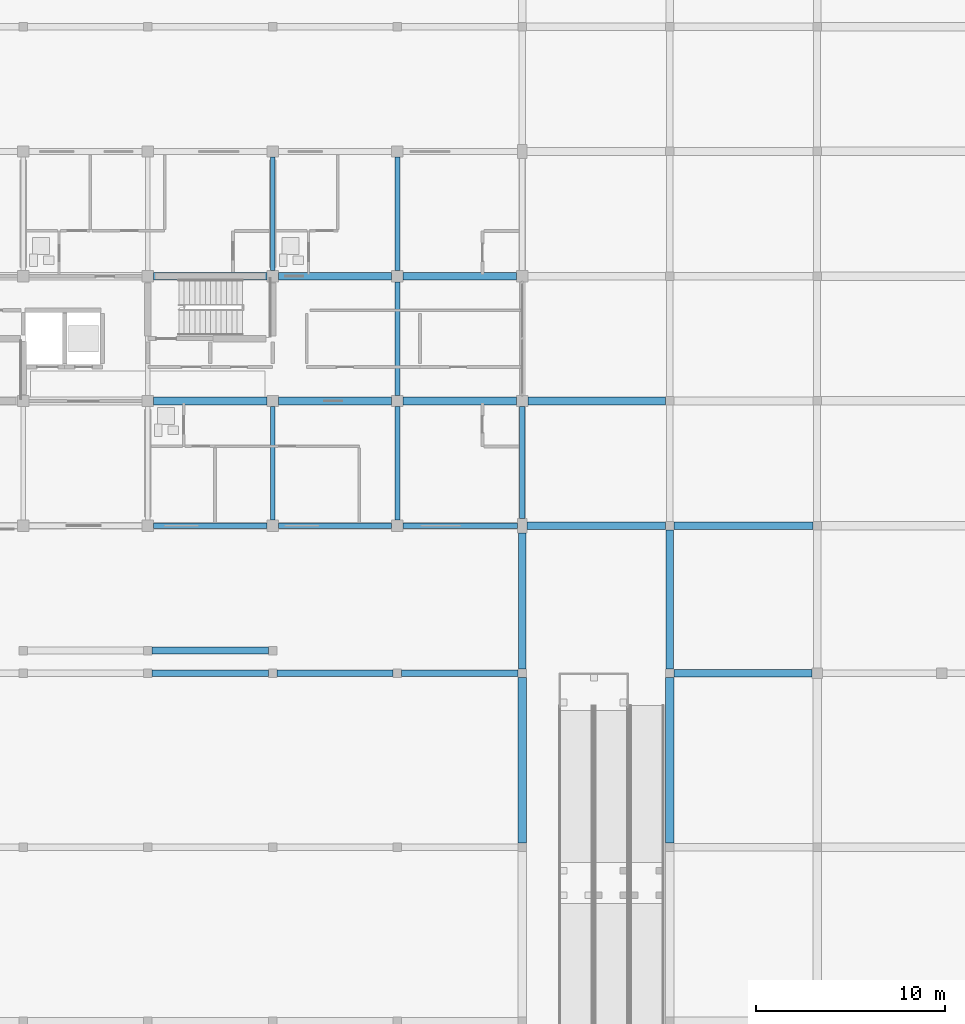
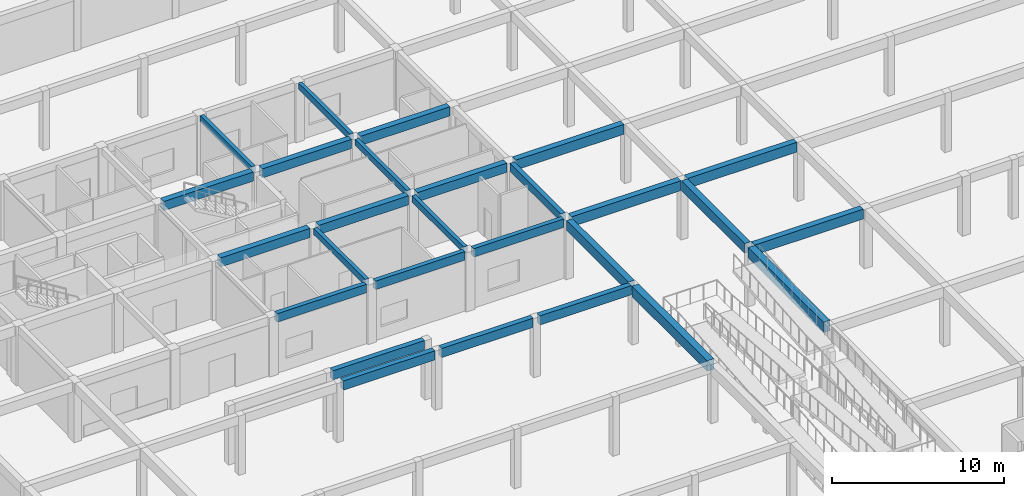
# One storey, part 29 of 75: 27 beams.
"""IFC4 building model written with IfcOpenShell, lengths in metres."""

from ifc_helpers import new_model, si_unit, direction, frame, origin, origin_2d, place, context, subcontext, project, spatial, rectangle, extrude, material, material_profile, profile_set, type_object, element, save


model = new_model("IFC4")

# Units and contexts
model_context = context("Model", 3, precision=1e-05, world=origin(), true_north=direction((0.0, 1.0)))
body_context = subcontext(model_context, "Body", "Model", "MODEL_VIEW")
ifc_project = project(units=[si_unit("LENGTHUNIT", "METRE"), si_unit("AREAUNIT", "SQUARE_METRE"), si_unit("VOLUMEUNIT", "CUBIC_METRE"), si_unit("PLANEANGLEUNIT", "RADIAN"), si_unit("MASSUNIT", "GRAM", prefix="KILO")], contexts=[model_context])

# Site, building, storey
site_placement = place(None, origin())
site = spatial("IfcSite", under=ifc_project, at=site_placement, CompositionType="ELEMENT")
building_placement = place(site_placement, origin())
building = spatial("IfcBuilding", under=site, at=building_placement, Name="Kernevlak Ridge Housing Community", CompositionType="ELEMENT")
storey_placement = place(building_placement, origin())
storey = spatial("IfcBuildingStorey", under=building, at=storey_placement, Name="L00", CompositionType="ELEMENT", Elevation=0.0)

# Beams
ifc_material = material(Name="Concrete C35/45", Category="concrete")
ifc_material_profile_1 = material_profile(ifc_material, rectangle(XDim=0.39990234375, YDim=0.699951171875, at=origin_2d()), Name="RC 400x700")
ifc_profile_set_1 = profile_set([ifc_material_profile_1], Name="Concrete C35/45")
beam_type_1 = type_object("IfcBeamType", Name="B-01", PredefinedType="BEAM", material=ifc_profile_set_1)
beam_1_placement = place(storey_placement, frame((56.625, 68.199951171875, 3.85009765625), z_axis=(1.0, 0.0, 0.0), x_axis=(0.0, 1.0, 0.0)))
element("IfcBeam", 1, at=beam_1_placement, inside=storey, type_object=beam_type_1, Name="Beam B-01 L00 2170", PredefinedType="BEAM", context=body_context, shape_type="SweptSolid", body=[
    extrude(rectangle(XDim=0.39990234375, YDim=0.699951171875, at=origin_2d()), origin(), (0.0, 0.0, 1.0), 7.300048828125),
])
beam_2_placement = place(storey_placement, frame((48.85009765625, 76.0, 3.85009765625), z_axis=(1.0, 0.0, 0.0), x_axis=(0.0, 1.0, 0.0)))
element("IfcBeam", 2, at=beam_2_placement, inside=storey, type_object=beam_type_1, Name="Beam B-01 L00 2190", PredefinedType="BEAM", context=body_context, shape_type="SweptSolid", body=[
    extrude(rectangle(XDim=0.39990234375, YDim=0.699951171875, at=origin_2d()), origin(), (0.0, 0.0, 1.0), 7.324951171875),
])
beam_3_placement = place(storey_placement, frame((56.625, 76.0, 3.85009765625), z_axis=(1.0, 0.0, 0.0), x_axis=(0.0, 1.0, 0.0)))
element("IfcBeam", 3, at=beam_3_placement, inside=storey, type_object=beam_type_1, Name="Beam B-01 L00 2191", PredefinedType="BEAM", context=body_context, shape_type="SweptSolid", body=[
    extrude(rectangle(XDim=0.39990234375, YDim=0.699951171875, at=origin_2d()), origin(), (0.0, 0.0, 1.0), 7.35009765625),
])
beam_4_placement = place(storey_placement, frame((48.89990234375, 82.60009765625, 3.85009765625), z_axis=(1.0, 0.0, 0.0), x_axis=(0.0, 1.0, 0.0)))
element("IfcBeam", 4, at=beam_4_placement, inside=storey, type_object=beam_type_1, Name="Beam B-01 L00 2205", PredefinedType="BEAM", context=body_context, shape_type="SweptSolid", body=[
    extrude(rectangle(XDim=0.39990234375, YDim=0.699951171875, at=origin_2d()), origin(), (0.0, 0.0, 1.0), 7.275146484375),
])
beam_5_placement = place(storey_placement, frame((48.60009765625, 68.425048828125, 3.85009765625), z_axis=(0.0, 1.0, 0.0), x_axis=(-1.0, 0.0, 0.0)))
element("IfcBeam", 5, at=beam_5_placement, inside=storey, type_object=beam_type_1, Name="Beam B-01 L00 2296", PredefinedType="BEAM", context=body_context, shape_type="SweptSolid", body=[
    extrude(rectangle(XDim=0.39990234375, YDim=0.699951171875, at=origin_2d()), origin(), (0.0, 0.0, 1.0), 7.199951171875),
])
beam_6_placement = place(storey_placement, frame((56.39990234375, 68.425048828125, 3.85009765625), z_axis=(0.0, 1.0, 0.0), x_axis=(-1.0, 0.0, 0.0)))
element("IfcBeam", 6, at=beam_6_placement, inside=storey, type_object=beam_type_1, Name="Beam B-01 L00 2307", PredefinedType="BEAM", context=body_context, shape_type="SweptSolid", body=[
    extrude(rectangle(XDim=0.39990234375, YDim=0.699951171875, at=origin_2d()), origin(), (0.0, 0.0, 1.0), 7.349853515625),
])
ifc_material_profile_2 = material_profile(ifc_material, rectangle(XDim=0.35009765625, YDim=0.64990234375, at=origin_2d()), Name="RC 350x650")
ifc_profile_set_2 = profile_set([ifc_material_profile_2], Name="Concrete C35/45")
beam_type_2 = type_object("IfcBeamType", Name="B-02", PredefinedType="BEAM", material=ifc_profile_set_2)
beam_7_placement = place(storey_placement, frame((29.02490234375, 68.199951171875, 3.875), z_axis=(1.0, 0.0, 0.0), x_axis=(0.0, 1.0, 0.0)))
element("IfcBeam", 7, at=beam_7_placement, inside=storey, type_object=beam_type_2, Name="Beam B-02 L00 2167", PredefinedType="BEAM", context=body_context, shape_type="SweptSolid", body=[
    extrude(rectangle(XDim=0.35009765625, YDim=0.64990234375, at=origin_2d()), origin(), (0.0, 0.0, 1.0), 6.150146484375),
])
for number, where, z_axis, x_axis, name in (
    (8, (35.625, 68.199951171875, 3.875), (1.0, 0.0, 0.0), (0.0, 1.0, 0.0), "Beam B-02 L00 2168"),
    (9, (42.22509765625, 68.199951171875, 3.875), (1.0, 0.0, 0.0), (0.0, 1.0, 0.0), "Beam B-02 L00 2169"),
):
    element("IfcBeam", number, at=place(storey_placement, frame(where, z_axis=z_axis, x_axis=x_axis)), inside=storey, type_object=beam_type_2, Name=name, PredefinedType="BEAM", context=body_context, shape_type="SweptSolid", body=[
        extrude(rectangle(XDim=0.35009765625, YDim=0.64990234375, at=origin_2d()), origin(), (0.0, 0.0, 1.0), 6.14990234375),
    ])
beam_8_placement = place(storey_placement, frame((29.02490234375, 69.39990234375, 3.875), z_axis=(1.0, 0.0, 0.0), x_axis=(0.0, 1.0, 0.0)))
element("IfcBeam", 10, at=beam_8_placement, inside=storey, type_object=beam_type_2, Name="Beam B-02 L00 2188", PredefinedType="BEAM", context=body_context, shape_type="SweptSolid", body=[
    extrude(rectangle(XDim=0.35009765625, YDim=0.64990234375, at=origin_2d()), origin(), (0.0, 0.0, 1.0), 6.150146484375),
])
ifc_material_profile_3 = material_profile(ifc_material, rectangle(XDim=0.39990234375, YDim=0.64990234375, at=origin_2d()), Name="RC 400x650")
ifc_profile_set_3 = profile_set([ifc_material_profile_3], Name="Concrete C35/45")
beam_type_3 = type_object("IfcBeamType", Name="B-03", PredefinedType="T_BEAM", material=ifc_profile_set_3)
for number, where, z_axis, x_axis, name in (
    (11, (29.10009765625, 82.60009765625, 3.875), (1.0, 0.0, 0.0), (0.0, 1.0, 0.0), "Beam B-03 L00 44"),
    (12, (35.699951171875, 82.60009765625, 3.875), (1.0, 0.0, 0.0), (0.0, 1.0, 0.0), "Beam B-03 L00 45"),
    (13, (42.300048828125, 82.60009765625, 3.875), (1.0, 0.0, 0.0), (0.0, 1.0, 0.0), "Beam B-03 L00 46"),
    (14, (29.10009765625, 89.199951171875, 3.875), (1.0, 0.0, 0.0), (0.0, 1.0, 0.0), "Beam B-03 L00 49"),
    (15, (35.699951171875, 89.199951171875, 3.875), (1.0, 0.0, 0.0), (0.0, 1.0, 0.0), "Beam B-03 L00 50"),
    (16, (42.300048828125, 89.199951171875, 3.875), (1.0, 0.0, 0.0), (0.0, 1.0, 0.0), "Beam B-03 L00 51"),
):
    element("IfcBeam", number, at=place(storey_placement, frame(where, z_axis=z_axis, x_axis=x_axis)), inside=storey, type_object=beam_type_3, Name=name, PredefinedType="T_BEAM", context=body_context, shape_type="SweptSolid", body=[
        extrude(rectangle(XDim=0.39990234375, YDim=0.64990234375, at=origin_2d()), origin(), (0.0, 0.0, 1.0), 6.0),
    ])
ifc_material_profile_4 = material_profile(ifc_material, rectangle(XDim=0.25, YDim=0.449951171875, at=origin_2d()), Name="RC 250x450")
ifc_profile_set_4 = profile_set([ifc_material_profile_4], Name="Concrete C35/45")
beam_type_4 = type_object("IfcBeamType", Name="B-04", PredefinedType="T_BEAM", material=ifc_profile_set_4)
for number, where, z_axis, x_axis, name in (
    (17, (35.39990234375, 76.300048828125, 3.97509765625), (0.0, 1.0, 0.0), (-1.0, 0.0, 0.0), "Beam B-04 L00 65"),
    (18, (35.39990234375, 89.5, 3.97509765625), (0.0, 1.0, 0.0), (-1.0, 0.0, 0.0), "Beam B-04 L00 66"),
    (19, (42.0, 76.300048828125, 3.97509765625), (0.0, 1.0, 0.0), (-1.0, 0.0, 0.0), "Beam B-04 L00 67"),
    (20, (42.0, 82.89990234375, 3.97509765625), (0.0, 1.0, 0.0), (-1.0, 0.0, 0.0), "Beam B-04 L00 68"),
    (21, (42.0, 89.5, 3.97509765625), (0.0, 1.0, 0.0), (-1.0, 0.0, 0.0), "Beam B-04 L00 69"),
):
    element("IfcBeam", number, at=place(storey_placement, frame(where, z_axis=z_axis, x_axis=x_axis)), inside=storey, type_object=beam_type_4, Name=name, PredefinedType="T_BEAM", context=body_context, shape_type="SweptSolid", body=[
        extrude(rectangle(XDim=0.25, YDim=0.449951171875, at=origin_2d()), origin(), (0.0, 0.0, 1.0), 6.0),
    ])
ifc_material_profile_5 = material_profile(ifc_material, rectangle(XDim=0.449951171875, YDim=0.75, at=origin_2d()), Name="RC 450x750")
ifc_profile_set_5 = profile_set([ifc_material_profile_5], Name="Concrete C35/45")
beam_type_5 = type_object("IfcBeamType", Name="B-05", PredefinedType="BEAM", material=ifc_profile_set_5)
for number, where, z_axis, x_axis, name in (
    (22, (48.60009765625, 59.22509765625, 3.824951171875), (0.0, 1.0, 0.0), (-1.0, 0.0, 0.0), "Beam B-05 L00 2295"),
    (23, (56.39990234375, 59.22509765625, 3.824951171875), (0.0, 1.0, 0.0), (-1.0, 0.0, 0.0), "Beam B-05 L00 2306"),
):
    element("IfcBeam", number, at=place(storey_placement, frame(where, z_axis=z_axis, x_axis=x_axis)), inside=storey, type_object=beam_type_5, Name=name, PredefinedType="BEAM", context=body_context, shape_type="SweptSolid", body=[
        extrude(rectangle(XDim=0.449951171875, YDim=0.75, at=origin_2d()), origin(), (0.0, 0.0, 1.0), 8.75),
    ])
ifc_material_profile_6 = material_profile(ifc_material, rectangle(XDim=0.300048828125, YDim=0.550048828125, at=origin_2d()), Name="RC 300x550")
ifc_profile_set_6 = profile_set([ifc_material_profile_6], Name="Concrete C35/45")
beam_type_6 = type_object("IfcBeamType", Name="SP-01", PredefinedType="SPANDREL", material=ifc_profile_set_6)
beam_9_placement = place(storey_placement, frame((48.60009765625, 76.375, 3.925048828125), z_axis=(0.0, 1.0, 0.0), x_axis=(-1.0, 0.0, 0.0)))
element("IfcBeam", 24, at=beam_9_placement, inside=storey, type_object=beam_type_6, Name="Beam SP-01 L00 70", PredefinedType="SPANDREL", context=body_context, shape_type="SweptSolid", body=[
    extrude(rectangle(XDim=0.300048828125, YDim=0.550048828125, at=origin_2d()), origin(), (0.0, 0.0, 1.0), 5.925048828125),
])
ifc_material_profile_7 = material_profile(ifc_material, rectangle(XDim=0.300048828125, YDim=0.60009765625, at=origin_2d()), Name="RC 300x600")
ifc_profile_set_7 = profile_set([ifc_material_profile_7], Name="Concrete C35/45")
beam_type_7 = type_object("IfcBeamType", Name="SP-02", PredefinedType="SPANDREL", material=ifc_profile_set_7)
for number, where, z_axis, x_axis, name in (
    (25, (29.10009765625, 76.0, 3.89990234375), (1.0, 0.0, 0.0), (0.0, 1.0, 0.0), "Beam SP-02 L00 39"),
    (26, (35.699951171875, 76.0, 3.89990234375), (1.0, 0.0, 0.0), (0.0, 1.0, 0.0), "Beam SP-02 L00 40"),
):
    element("IfcBeam", number, at=place(storey_placement, frame(where, z_axis=z_axis, x_axis=x_axis)), inside=storey, type_object=beam_type_7, Name=name, PredefinedType="SPANDREL", context=body_context, shape_type="SweptSolid", body=[
        extrude(rectangle(XDim=0.300048828125, YDim=0.60009765625, at=origin_2d()), origin(), (0.0, 0.0, 1.0), 6.0),
    ])
beam_10_placement = place(storey_placement, frame((42.300048828125, 76.0, 3.89990234375), z_axis=(1.0, 0.0, 0.0), x_axis=(0.0, 1.0, 0.0)))
element("IfcBeam", 27, at=beam_10_placement, inside=storey, type_object=beam_type_7, Name="Beam SP-02 L00 41", PredefinedType="SPANDREL", context=body_context, shape_type="SweptSolid", body=[
    extrude(rectangle(XDim=0.300048828125, YDim=0.60009765625, at=origin_2d()), origin(), (0.0, 0.0, 1.0), 6.050048828125),
])

save(model, "model.ifc")
